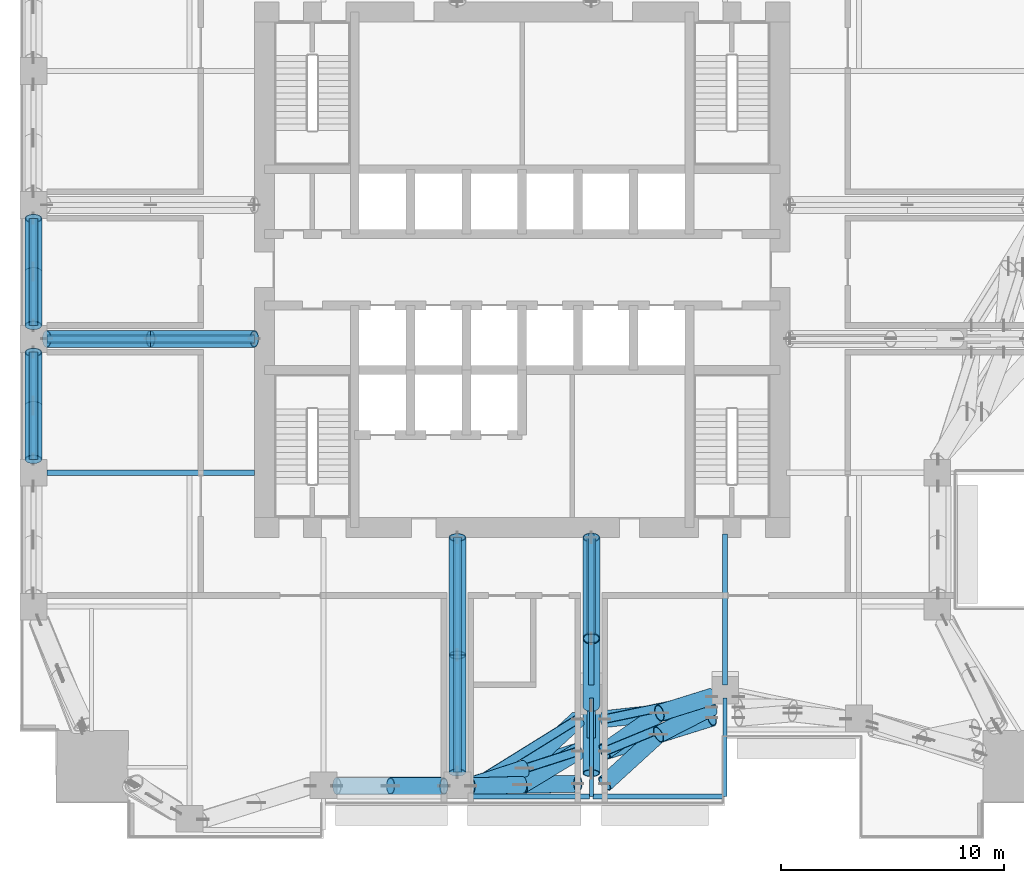
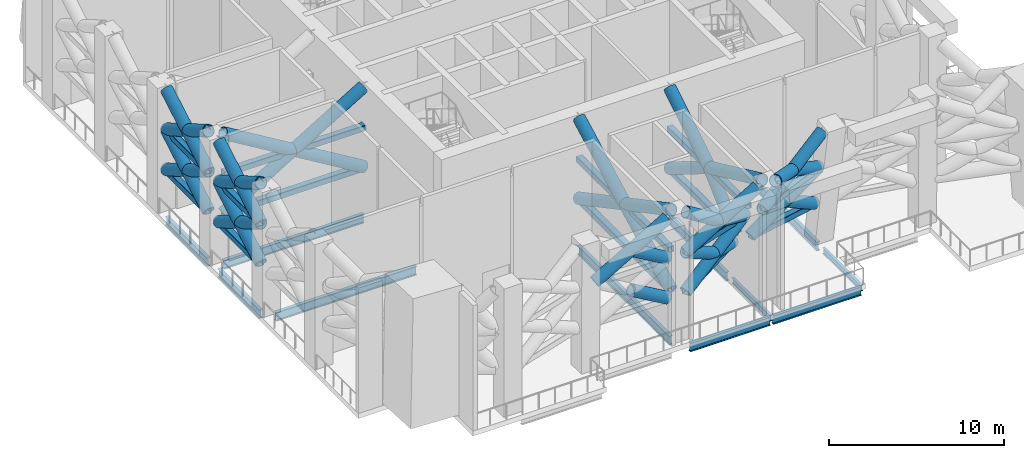
# One storey, part 2 of 18: 39 members, 25 beams.
"""IFC4 building model written with IfcOpenShell, lengths in metres."""

from ifc_helpers import new_model, si_unit, direction, frame, origin, origin_2d, place, context, subcontext, project, spatial, hollow_rectangle, hollow_circle, i_section, extrude, material, material_profile, profile_set, type_object, element, save


model = new_model("IFC4")

# Units and contexts
model_context = context("Model", 3, precision=1e-05, world=origin(), true_north=direction((0.0, 1.0)))
body_context = subcontext(model_context, "Body", "Model", "MODEL_VIEW")
ifc_project = project(units=[si_unit("LENGTHUNIT", "METRE"), si_unit("AREAUNIT", "SQUARE_METRE"), si_unit("VOLUMEUNIT", "CUBIC_METRE"), si_unit("PLANEANGLEUNIT", "RADIAN"), si_unit("MASSUNIT", "GRAM", prefix="KILO")], contexts=[model_context])

# Site, building, storey
site_placement = place(None, origin())
site = spatial("IfcSite", under=ifc_project, at=site_placement, CompositionType="ELEMENT")
building_placement = place(site_placement, origin())
building = spatial("IfcBuilding", under=site, at=building_placement, Name="Amberfall Residences", CompositionType="ELEMENT")
storey_placement = place(building_placement, frame((0.0, 0.0, 69.699951171875)))
storey = spatial("IfcBuildingStorey", under=building, at=storey_placement, Name="L19", CompositionType="ELEMENT", Elevation=69.699951171875)

# Beams
ifc_material = material(Name="Steel S355", Category="steel")
ifc_material_profile_1 = material_profile(ifc_material, hollow_rectangle(XDim=0.39990234375, YDim=0.39990234375, WallThickness=0.02001953125, InnerFilletRadius=0.02001953125, OuterFilletRadius=0.030029296875, at=origin_2d()), Name="RHS 400x400x20")
ifc_profile_set_1 = profile_set([ifc_material_profile_1], Name="Steel S355")
beam_type_1 = type_object("IfcBeamType", Name="Belt truss chord BT RHS 400x400x20", PredefinedType="BEAM", material=ifc_profile_set_1)
beam_1_placement = place(storey_placement, frame((72.199951171875, 22.382568359375, 2.900146484375), z_axis=(0.849647510788, 0.527351028643, 0.0), x_axis=(-0.527351028643, 0.849647510788, 0.0)))
element("IfcBeam", 1, at=beam_1_placement, inside=storey, type_object=beam_type_1, Name="Belt truss chord BT3 L19 S3", PredefinedType="BEAM", context=body_context, shape_type="SweptSolid", body=[
    extrude(hollow_rectangle(XDim=0.39990234375, YDim=0.39990234375, WallThickness=0.02001953125, InnerFilletRadius=0.02001953125, OuterFilletRadius=0.030029296875, at=origin_2d()), origin(), (0.0, 0.0, 1.0), 5.6494140625),
])
beam_2_placement = place(storey_placement, frame((72.199951171875, 22.36767578125, 5.699951171875), z_axis=(0.951825357857, 0.306640649848, 0.0), x_axis=(-0.306640649848, 0.951825357857, 0.0)))
element("IfcBeam", 2, at=beam_2_placement, inside=storey, type_object=beam_type_1, Name="Belt truss chord BT3 L19 S3m", PredefinedType="BEAM", context=body_context, shape_type="SweptSolid", body=[
    extrude(hollow_rectangle(XDim=0.39990234375, YDim=0.39990234375, WallThickness=0.02001953125, InnerFilletRadius=0.02001953125, OuterFilletRadius=0.030029296875, at=origin_2d()), origin(), (0.0, 0.0, 1.0), 5.04296875),
])
beam_3_placement = place(storey_placement, frame((78.199951171875, 25.36181640625, 2.900146484375), z_axis=(0.978791553845, 0.204858717465, 0.0), x_axis=(-0.204858717465, 0.978791553845, 0.0)))
element("IfcBeam", 3, at=beam_3_placement, inside=storey, type_object=beam_type_1, Name="Belt truss chord BT3 L19 S4", PredefinedType="BEAM", context=body_context, shape_type="SweptSolid", body=[
    extrude(hollow_rectangle(XDim=0.39990234375, YDim=0.39990234375, WallThickness=0.02001953125, InnerFilletRadius=0.02001953125, OuterFilletRadius=0.030029296875, at=origin_2d()), origin(), (0.0, 0.0, 1.0), 4.904052734375),
])
beam_4_placement = place(storey_placement, frame((78.199951171875, 23.9140625, 5.699951171875), z_axis=(0.924573855827, 0.381002867602, 0.0), x_axis=(-0.381002867602, 0.924573855827, 0.0)))
element("IfcBeam", 4, at=beam_4_placement, inside=storey, type_object=beam_type_1, Name="Belt truss chord BT3 L19 S4m", PredefinedType="BEAM", context=body_context, shape_type="SweptSolid", body=[
    extrude(hollow_rectangle(XDim=0.39990234375, YDim=0.39990234375, WallThickness=0.02001953125, InnerFilletRadius=0.02001953125, OuterFilletRadius=0.030029296875, at=origin_2d()), origin(), (0.0, 0.0, 1.0), 5.191650390625),
])
for number, where, z_axis, x_axis, name in (
    (5, (52.60009765625, 37.0, 2.900146484375), (0.0, 1.0, 0.0), (-1.0, 0.0, 0.0), "Belt truss chord BT3 L19 W2"),
    (6, (52.60009765625, 37.0, 5.699951171875), (0.0, 1.0, 0.0), (-1.0, 0.0, 0.0), "Belt truss chord BT3 L19 W2m"),
    (7, (52.60009765625, 43.0, 2.900146484375), (0.0, 1.0, 0.0), (-1.0, 0.0, 0.0), "Belt truss chord BT3 L19 W3"),
    (8, (52.60009765625, 43.0, 5.699951171875), (0.0, 1.0, 0.0), (-1.0, 0.0, 0.0), "Belt truss chord BT3 L19 W3m"),
):
    element("IfcBeam", number, at=place(storey_placement, frame(where, z_axis=z_axis, x_axis=x_axis)), inside=storey, type_object=beam_type_1, Name=name, PredefinedType="BEAM", context=body_context, shape_type="SweptSolid", body=[
        extrude(hollow_rectangle(XDim=0.39990234375, YDim=0.39990234375, WallThickness=0.02001953125, InnerFilletRadius=0.02001953125, OuterFilletRadius=0.030029296875, at=origin_2d()), origin(), (0.0, 0.0, 1.0), 4.800048828125),
    ])

# Members
ifc_material_profile_2 = material_profile(ifc_material, hollow_circle(Radius=0.381103515625, WallThickness=0.0400390625, at=origin_2d()), Name="CHS 762x40")
ifc_profile_set_2 = profile_set([ifc_material_profile_2], Name="Steel S355")
member_type_1 = type_object("IfcMemberType", Name="Belt truss diagonal BT CHS 762x40", PredefinedType="BRACE", material=ifc_profile_set_2)
member_1_placement = place(storey_placement, frame((68.60009765625, 22.375244140625, 4.300048828125), z_axis=(0.863782273613, 0.002636161567, -0.503858347599), x_axis=(-0.003051867781, 0.999995343041, 0.0)))
element("IfcMember", 9, at=member_1_placement, inside=storey, type_object=member_type_1, Name="Belt truss diagonal BT4 L19 S2e2", PredefinedType="BRACE", context=body_context, shape_type="SweptSolid", body=[
    extrude(hollow_circle(Radius=0.381103515625, WallThickness=0.0400390625, at=origin_2d()), origin(), (0.0, 0.0, 1.0), 2.7783203125),
])
member_2_placement = place(storey_placement, frame((66.199951171875, 22.36767578125, 5.699951171875), z_axis=(0.863774103061, -0.002723869304, 0.5038718879), x_axis=(0.003153435315, 0.99999502791, 0.0)))
element("IfcMember", 10, at=member_2_placement, inside=storey, type_object=member_type_1, Name="Belt truss diagonal BT4 L19 S2du", PredefinedType="BRACE", context=body_context, shape_type="SweptSolid", body=[
    extrude(hollow_circle(Radius=0.381103515625, WallThickness=0.0400390625, at=origin_2d()), origin(), (0.0, 0.0, 1.0), 5.55712890625),
])
member_3_placement = place(storey_placement, frame((68.60009765625, 22.360107421875, 7.10009765625), z_axis=(0.863743825401, 0.002723912369, -0.503923788268), x_axis=(-0.003153595712, 0.999995027405, 0.0)))
element("IfcMember", 11, at=member_3_placement, inside=storey, type_object=member_type_1, Name="Belt truss diagonal BT4 L19 S2e2u", PredefinedType="BRACE", context=body_context, shape_type="SweptSolid", body=[
    extrude(hollow_circle(Radius=0.381103515625, WallThickness=0.0400390625, at=origin_2d()), origin(), (0.0, 0.0, 1.0), 2.778564453125),
])
member_4_placement = place(storey_placement, frame((72.199951171875, 22.382568359375, 2.900146484375), z_axis=(0.832749048351, 0.265695273908, 0.485731452444), x_axis=(-0.303961576844, 0.952684291779, 0.0)))
element("IfcMember", 12, at=member_4_placement, inside=storey, type_object=member_type_1, Name="Belt truss diagonal BT4 L19 S3d", PredefinedType="BRACE", context=body_context, shape_type="SweptSolid", body=[
    extrude(hollow_circle(Radius=0.381103515625, WallThickness=0.0400390625, at=origin_2d()), origin(), (0.0, 0.0, 1.0), 5.76416015625),
])
member_5_placement = place(storey_placement, frame((72.199951171875, 22.36767578125, 5.699951171875), z_axis=(0.832668936922, 0.270826479839, -0.483027389806), x_axis=(-0.309302030976, 0.950963855062, 0.0)))
element("IfcMember", 13, at=member_5_placement, inside=storey, type_object=member_type_1, Name="Belt truss diagonal BT4 L19 S3e", PredefinedType="BRACE", context=body_context, shape_type="SweptSolid", body=[
    extrude(hollow_circle(Radius=0.381103515625, WallThickness=0.0400390625, at=origin_2d()), origin(), (0.0, 0.0, 1.0), 2.89013671875),
])
member_6_placement = place(storey_placement, frame((74.6064453125, 23.150390625, 4.303955078125), z_axis=(0.674570385595, 0.623241386446, -0.395632366092), x_axis=(-0.67860986636, 0.734498910332, 0.0)))
element("IfcMember", 14, at=member_6_placement, inside=storey, type_object=member_type_1, Name="Belt truss diagonal BT4 L19 S3e2", PredefinedType="BRACE", context=body_context, shape_type="SweptSolid", body=[
    extrude(hollow_circle(Radius=0.381103515625, WallThickness=0.0400390625, at=origin_2d()), origin(), (0.0, 0.0, 1.0), 3.54833984375),
])
member_7_placement = place(storey_placement, frame((72.199951171875, 22.36767578125, 5.699951171875), z_axis=(0.863641953114, 0.017702441743, 0.503794799871), x_axis=(-0.020493126876, 0.999789993824, 0.0)))
element("IfcMember", 15, at=member_7_placement, inside=storey, type_object=member_type_1, Name="Belt truss diagonal BT4 L19 S3du", PredefinedType="BRACE", context=body_context, shape_type="SweptSolid", body=[
    extrude(hollow_circle(Radius=0.381103515625, WallThickness=0.0400390625, at=origin_2d()), origin(), (0.0, 0.0, 1.0), 5.557861328125),
])
member_8_placement = place(storey_placement, frame((72.199951171875, 22.3525390625, 8.5), z_axis=(0.846381195806, 0.022896923399, -0.53208514571), x_axis=(-0.027042837847, 0.999634275583, 0.0)))
element("IfcMember", 16, at=member_8_placement, inside=storey, type_object=member_type_1, Name="Belt truss diagonal BT4 L19 S3eu", PredefinedType="BRACE", context=body_context, shape_type="SweptSolid", body=[
    extrude(hollow_circle(Radius=0.381103515625, WallThickness=0.0400390625, at=origin_2d()), origin(), (0.0, 0.0, 1.0), 2.729736328125),
])
member_9_placement = place(storey_placement, frame((74.51025390625, 22.4150390625, 7.047607421875), z_axis=(0.777208017164, 0.467940500626, -0.420689179716), x_axis=(-0.515804680673, 0.856706210668, 0.0)))
element("IfcMember", 17, at=member_9_placement, inside=storey, type_object=member_type_1, Name="Belt truss diagonal BT4 L19 S3e2u", PredefinedType="BRACE", context=body_context, shape_type="SweptSolid", body=[
    extrude(hollow_circle(Radius=0.381103515625, WallThickness=0.0400390625, at=origin_2d()), origin(), (0.0, 0.0, 1.0), 3.203369140625),
])
member_10_placement = place(storey_placement, frame((78.199951171875, 25.36181640625, 2.900146484375), z_axis=(0.859890188667, 0.094994226631, 0.501562518876), x_axis=(-0.109804504253, 0.993953203549, 0.0)))
element("IfcMember", 18, at=member_10_placement, inside=storey, type_object=member_type_1, Name="Belt truss diagonal BT4 L19 S4d", PredefinedType="BRACE", context=body_context, shape_type="SweptSolid", body=[
    extrude(hollow_circle(Radius=0.381103515625, WallThickness=0.0400390625, at=origin_2d()), origin(), (0.0, 0.0, 1.0), 5.582275390625),
])
member_11_placement = place(storey_placement, frame((78.199951171875, 23.9140625, 5.699951171875), z_axis=(0.745355793608, 0.521726826006, -0.415025131723), x_axis=(-0.573445946164, 0.819243399014, 0.0)))
element("IfcMember", 19, at=member_11_placement, inside=storey, type_object=member_type_1, Name="Belt truss diagonal BT4 L19 S4e", PredefinedType="BRACE", context=body_context, shape_type="SweptSolid", body=[
    extrude(hollow_circle(Radius=0.381103515625, WallThickness=0.0400390625, at=origin_2d()), origin(), (0.0, 0.0, 1.0), 3.294921875),
])
member_12_placement = place(storey_placement, frame((80.65576171875, 25.633056640625, 4.33251953125), z_axis=(0.824444135405, 0.257928575584, -0.503750650117), x_axis=(-0.298580588905, 0.954384425653, 0.0)))
element("IfcMember", 20, at=member_12_placement, inside=storey, type_object=member_type_1, Name="Belt truss diagonal BT4 L19 S4e2", PredefinedType="BRACE", context=body_context, shape_type="SweptSolid", body=[
    extrude(hollow_circle(Radius=0.381103515625, WallThickness=0.0400390625, at=origin_2d()), origin(), (0.0, 0.0, 1.0), 2.843505859375),
])
member_13_placement = place(storey_placement, frame((78.199951171875, 23.9140625, 5.699951171875), z_axis=(0.833792510184, 0.261193635635, 0.486382498312), x_axis=(-0.298935430736, 0.954273340428, 0.0)))
element("IfcMember", 21, at=member_13_placement, inside=storey, type_object=member_type_1, Name="Belt truss diagonal BT4 L19 S4du", PredefinedType="BRACE", context=body_context, shape_type="SweptSolid", body=[
    extrude(hollow_circle(Radius=0.381103515625, WallThickness=0.0400390625, at=origin_2d()), origin(), (0.0, 0.0, 1.0), 5.7568359375),
])
member_14_placement = place(storey_placement, frame((78.199951171875, 22.466064453125, 8.5), z_axis=(0.679346686244, 0.620380630928, -0.391938710334), x_axis=(-0.674333127578, 0.73842726998, 0.0)))
element("IfcMember", 22, at=member_14_placement, inside=storey, type_object=member_type_1, Name="Belt truss diagonal BT4 L19 S4eu", PredefinedType="BRACE", context=body_context, shape_type="SweptSolid", body=[
    extrude(hollow_circle(Radius=0.381103515625, WallThickness=0.0400390625, at=origin_2d()), origin(), (0.0, 0.0, 1.0), 3.552490234375),
])
member_15_placement = place(storey_placement, frame((80.61328125, 24.669921875, 7.107666015625), z_axis=(0.788087397625, 0.403556210363, -0.46482323391), x_axis=(-0.455787908549, 0.890088412699, 0.0)))
element("IfcMember", 23, at=member_15_placement, inside=storey, type_object=member_type_1, Name="Belt truss diagonal BT4 L19 S4e2u", PredefinedType="BRACE", context=body_context, shape_type="SweptSolid", body=[
    extrude(hollow_circle(Radius=0.381103515625, WallThickness=0.0400390625, at=origin_2d()), origin(), (0.0, 0.0, 1.0), 3.028564453125),
])
member_16_placement = place(storey_placement, frame((52.60009765625, 37.0, 2.900146484375), z_axis=(0.0, 0.863796428652, 0.503840976745), x_axis=(-1.0, 0.0, 0.0)))
element("IfcMember", 24, at=member_16_placement, inside=storey, type_object=member_type_1, Name="Belt truss diagonal BT4 L19 W2d", PredefinedType="BRACE", context=body_context, shape_type="SweptSolid", body=[
    extrude(hollow_circle(Radius=0.381103515625, WallThickness=0.0400390625, at=origin_2d()), origin(), (0.0, 0.0, 1.0), 5.556884765625),
])
member_17_placement = place(storey_placement, frame((52.60009765625, 37.0, 5.699951171875), z_axis=(0.0, 0.86378527499, -0.503860098351), x_axis=(-1.0, 0.0, 0.0)))
element("IfcMember", 25, at=member_17_placement, inside=storey, type_object=member_type_1, Name="Belt truss diagonal BT4 L19 W2e", PredefinedType="BRACE", context=body_context, shape_type="SweptSolid", body=[
    extrude(hollow_circle(Radius=0.381103515625, WallThickness=0.0400390625, at=origin_2d()), origin(), (0.0, 0.0, 1.0), 2.7783203125),
])
member_18_placement = place(storey_placement, frame((52.60009765625, 39.39990234375, 4.300048828125), z_axis=(0.0, 0.863807581045, -0.503821856343), x_axis=(-1.0, 0.0, 0.0)))
element("IfcMember", 26, at=member_18_placement, inside=storey, type_object=member_type_1, Name="Belt truss diagonal BT4 L19 W2e2", PredefinedType="BRACE", context=body_context, shape_type="SweptSolid", body=[
    extrude(hollow_circle(Radius=0.381103515625, WallThickness=0.0400390625, at=origin_2d()), origin(), (0.0, 0.0, 1.0), 2.778564453125),
])
member_19_placement = place(storey_placement, frame((52.60009765625, 37.0, 5.699951171875), z_axis=(0.0, 0.86377730745, 0.503873757141), x_axis=(-1.0, 0.0, 0.0)))
element("IfcMember", 27, at=member_19_placement, inside=storey, type_object=member_type_1, Name="Belt truss diagonal BT4 L19 W2du", PredefinedType="BRACE", context=body_context, shape_type="SweptSolid", body=[
    extrude(hollow_circle(Radius=0.381103515625, WallThickness=0.0400390625, at=origin_2d()), origin(), (0.0, 0.0, 1.0), 5.55712890625),
])
member_20_placement = place(storey_placement, frame((52.60009765625, 37.0, 8.5), z_axis=(0.0, 0.86378527499, -0.503860098351), x_axis=(-1.0, 0.0, 0.0)))
element("IfcMember", 28, at=member_20_placement, inside=storey, type_object=member_type_1, Name="Belt truss diagonal BT4 L19 W2eu", PredefinedType="BRACE", context=body_context, shape_type="SweptSolid", body=[
    extrude(hollow_circle(Radius=0.381103515625, WallThickness=0.0400390625, at=origin_2d()), origin(), (0.0, 0.0, 1.0), 2.7783203125),
])
member_21_placement = place(storey_placement, frame((52.60009765625, 39.39990234375, 7.10009765625), z_axis=(0.0, 0.863769340651, -0.503887414163), x_axis=(-1.0, 0.0, 0.0)))
element("IfcMember", 29, at=member_21_placement, inside=storey, type_object=member_type_1, Name="Belt truss diagonal BT4 L19 W2e2u", PredefinedType="BRACE", context=body_context, shape_type="SweptSolid", body=[
    extrude(hollow_circle(Radius=0.381103515625, WallThickness=0.0400390625, at=origin_2d()), origin(), (0.0, 0.0, 1.0), 2.77880859375),
])
member_22_placement = place(storey_placement, frame((52.60009765625, 43.0, 2.900146484375), z_axis=(0.0, 0.863796428652, 0.503840976745), x_axis=(-1.0, 0.0, 0.0)))
element("IfcMember", 30, at=member_22_placement, inside=storey, type_object=member_type_1, Name="Belt truss diagonal BT4 L19 W3d", PredefinedType="BRACE", context=body_context, shape_type="SweptSolid", body=[
    extrude(hollow_circle(Radius=0.381103515625, WallThickness=0.0400390625, at=origin_2d()), origin(), (0.0, 0.0, 1.0), 5.556884765625),
])
member_23_placement = place(storey_placement, frame((52.60009765625, 43.0, 5.699951171875), z_axis=(0.0, 0.86378527499, -0.503860098351), x_axis=(-1.0, 0.0, 0.0)))
element("IfcMember", 31, at=member_23_placement, inside=storey, type_object=member_type_1, Name="Belt truss diagonal BT4 L19 W3e", PredefinedType="BRACE", context=body_context, shape_type="SweptSolid", body=[
    extrude(hollow_circle(Radius=0.381103515625, WallThickness=0.0400390625, at=origin_2d()), origin(), (0.0, 0.0, 1.0), 2.7783203125),
])
member_24_placement = place(storey_placement, frame((52.60009765625, 45.39990234375, 4.300048828125), z_axis=(0.0, 0.863807581045, -0.503821856343), x_axis=(-1.0, 0.0, 0.0)))
element("IfcMember", 32, at=member_24_placement, inside=storey, type_object=member_type_1, Name="Belt truss diagonal BT4 L19 W3e2", PredefinedType="BRACE", context=body_context, shape_type="SweptSolid", body=[
    extrude(hollow_circle(Radius=0.381103515625, WallThickness=0.0400390625, at=origin_2d()), origin(), (0.0, 0.0, 1.0), 2.778564453125),
])
member_25_placement = place(storey_placement, frame((52.60009765625, 43.0, 5.699951171875), z_axis=(0.0, 0.86377730745, 0.503873757141), x_axis=(-1.0, 0.0, 0.0)))
element("IfcMember", 33, at=member_25_placement, inside=storey, type_object=member_type_1, Name="Belt truss diagonal BT4 L19 W3du", PredefinedType="BRACE", context=body_context, shape_type="SweptSolid", body=[
    extrude(hollow_circle(Radius=0.381103515625, WallThickness=0.0400390625, at=origin_2d()), origin(), (0.0, 0.0, 1.0), 5.55712890625),
])
member_26_placement = place(storey_placement, frame((52.60009765625, 43.0, 8.5), z_axis=(0.0, 0.86378527499, -0.503860098351), x_axis=(-1.0, 0.0, 0.0)))
element("IfcMember", 34, at=member_26_placement, inside=storey, type_object=member_type_1, Name="Belt truss diagonal BT4 L19 W3eu", PredefinedType="BRACE", context=body_context, shape_type="SweptSolid", body=[
    extrude(hollow_circle(Radius=0.381103515625, WallThickness=0.0400390625, at=origin_2d()), origin(), (0.0, 0.0, 1.0), 2.7783203125),
])
member_27_placement = place(storey_placement, frame((52.60009765625, 45.39990234375, 7.10009765625), z_axis=(0.0, 0.863769340651, -0.503887414163), x_axis=(-1.0, 0.0, 0.0)))
element("IfcMember", 35, at=member_27_placement, inside=storey, type_object=member_type_1, Name="Belt truss diagonal BT4 L19 W3e2u", PredefinedType="BRACE", context=body_context, shape_type="SweptSolid", body=[
    extrude(hollow_circle(Radius=0.381103515625, WallThickness=0.0400390625, at=origin_2d()), origin(), (0.0, 0.0, 1.0), 2.77880859375),
])

# Beams
ifc_material_profile_3 = material_profile(ifc_material, i_section(OverallWidth=0.177734375, OverallDepth=0.402587890625, WebThickness=0.0078125, FlangeThickness=0.010986328125, FilletRadius=0.01025390625, at=origin_2d()), Name="UB 406x178x54")
ifc_profile_set_3 = profile_set([ifc_material_profile_3], Name="Steel S355")
beam_type_2 = type_object("IfcBeamType", Name="Cantilever girder UB 406x178x54", PredefinedType="BEAM", material=ifc_profile_set_3)
for number, where, z_axis, x_axis, name in (
    (36, (77.60009765625, 26.300048828125, -0.55126953125), (0.0, -1.0, 0.0), (1.0, 0.0, 0.0), "Cantilever girder B9 L19 07"),
    (37, (83.60009765625, 26.300048828125, -0.55126953125), (0.0, -1.0, 0.0), (1.0, 0.0, 0.0), "Cantilever girder B9 L19 08"),
):
    element("IfcBeam", number, at=place(storey_placement, frame(where, z_axis=z_axis, x_axis=x_axis)), inside=storey, type_object=beam_type_2, Name=name, PredefinedType="BEAM", context=body_context, shape_type="SweptSolid", body=[
        extrude(i_section(OverallWidth=0.177734375, OverallDepth=0.402587890625, WebThickness=0.0078125, FlangeThickness=0.010986328125, FilletRadius=0.01025390625, at=origin_2d()), origin(), (0.0, 0.0, 1.0), 4.400146484375),
    ])
ifc_material_profile_4 = material_profile(ifc_material, i_section(OverallWidth=0.228271484375, OverallDepth=0.607666015625, WebThickness=0.010986328125, FlangeThickness=0.017333984375, FilletRadius=0.0126953125, at=origin_2d()), Name="UB 610x229x113")
ifc_profile_set_4 = profile_set([ifc_material_profile_4], Name="Steel S355")
beam_type_3 = type_object("IfcBeamType", Name="Edge beam UB 610x229x113", PredefinedType="SPANDREL", material=ifc_profile_set_4)
beam_5_placement = place(storey_placement, frame((72.199951171875, 21.89990234375, -0.65380859375), z_axis=(1.0, 0.0, 0.0), x_axis=(0.0, 1.0, 0.0)))
element("IfcBeam", 38, at=beam_5_placement, inside=storey, type_object=beam_type_3, Name="Edge beam B12 L19 03", PredefinedType="SPANDREL", context=body_context, shape_type="SweptSolid", body=[
    extrude(i_section(OverallWidth=0.228271484375, OverallDepth=0.607666015625, WebThickness=0.010986328125, FlangeThickness=0.017333984375, FilletRadius=0.0126953125, at=origin_2d()), origin(), (0.0, 0.0, 1.0), 5.320068359375),
])
beam_6_placement = place(storey_placement, frame((77.679931640625, 21.89990234375, -0.65380859375), z_axis=(1.0, 0.0, 0.0), x_axis=(0.0, 1.0, 0.0)))
element("IfcBeam", 39, at=beam_6_placement, inside=storey, type_object=beam_type_3, Name="Edge beam B12 L19 04", PredefinedType="SPANDREL", context=body_context, shape_type="SweptSolid", body=[
    extrude(i_section(OverallWidth=0.228271484375, OverallDepth=0.607666015625, WebThickness=0.010986328125, FlangeThickness=0.017333984375, FilletRadius=0.0126953125, at=origin_2d()), origin(), (0.0, 0.0, 1.0), 5.840087890625),
])
for number, where, z_axis, x_axis, name in (
    (40, (52.60009765625, 37.0, -0.65380859375), (0.0, 1.0, 0.0), (-1.0, 0.0, 0.0), "Edge beam B12 L19 41"),
    (41, (52.60009765625, 43.0, -0.65380859375), (0.0, 1.0, 0.0), (-1.0, 0.0, 0.0), "Edge beam B12 L19 42"),
):
    element("IfcBeam", number, at=place(storey_placement, frame(where, z_axis=z_axis, x_axis=x_axis)), inside=storey, type_object=beam_type_3, Name=name, PredefinedType="SPANDREL", context=body_context, shape_type="SweptSolid", body=[
        extrude(i_section(OverallWidth=0.228271484375, OverallDepth=0.607666015625, WebThickness=0.010986328125, FlangeThickness=0.017333984375, FilletRadius=0.0126953125, at=origin_2d()), origin(), (0.0, 0.0, 1.0), 4.800048828125),
    ])
ifc_material_profile_5 = material_profile(ifc_material, i_section(OverallWidth=0.230224609375, OverallDepth=0.6171875, WebThickness=0.01318359375, FlangeThickness=0.022216796875, FilletRadius=0.0126953125, at=origin_2d()), Name="UB 610x229x140")
ifc_profile_set_5 = profile_set([ifc_material_profile_5], Name="Steel S355")
beam_type_4 = type_object("IfcBeamType", Name="Floor girder UB 610x229x140", PredefinedType="BEAM", material=ifc_profile_set_5)
beam_7_placement = place(storey_placement, frame((71.60009765625, 23.0, -0.658447265625), z_axis=(0.0, 1.0, 0.0), x_axis=(-1.0, 0.0, 0.0)))
element("IfcBeam", 42, at=beam_7_placement, inside=storey, type_object=beam_type_4, Name="Floor girder B13 L19 11", PredefinedType="BEAM", context=body_context, shape_type="SweptSolid", body=[
    extrude(i_section(OverallWidth=0.230224609375, OverallDepth=0.6171875, WebThickness=0.01318359375, FlangeThickness=0.022216796875, FilletRadius=0.0126953125, at=origin_2d()), origin(), (0.0, 0.0, 1.0), 10.5),
])
for number, where, z_axis, x_axis, name in (
    (43, (77.60009765625, 26.89990234375, -0.658447265625), (0.0, 1.0, 0.0), (-1.0, 0.0, 0.0), "Floor girder B13 L19 12"),
    (44, (83.60009765625, 26.89990234375, -0.658447265625), (0.0, 1.0, 0.0), (-1.0, 0.0, 0.0), "Floor girder B13 L19 13"),
):
    element("IfcBeam", number, at=place(storey_placement, frame(where, z_axis=z_axis, x_axis=x_axis)), inside=storey, type_object=beam_type_4, Name=name, PredefinedType="BEAM", context=body_context, shape_type="SweptSolid", body=[
        extrude(i_section(OverallWidth=0.230224609375, OverallDepth=0.6171875, WebThickness=0.01318359375, FlangeThickness=0.022216796875, FilletRadius=0.0126953125, at=origin_2d()), origin(), (0.0, 0.0, 1.0), 6.75),
    ])
for number, where, z_axis, x_axis, name in (
    (45, (53.199951171875, 36.39990234375, -0.658447265625), (1.0, 0.0, 0.0), (0.0, 1.0, 0.0), "Floor girder B13 L19 46"),
    (46, (53.199951171875, 42.39990234375, -0.658447265625), (1.0, 0.0, 0.0), (0.0, 1.0, 0.0), "Floor girder B13 L19 47"),
):
    element("IfcBeam", number, at=place(storey_placement, frame(where, z_axis=z_axis, x_axis=x_axis)), inside=storey, type_object=beam_type_4, Name=name, PredefinedType="BEAM", context=body_context, shape_type="SweptSolid", body=[
        extrude(i_section(OverallWidth=0.230224609375, OverallDepth=0.6171875, WebThickness=0.01318359375, FlangeThickness=0.022216796875, FilletRadius=0.0126953125, at=origin_2d()), origin(), (0.0, 0.0, 1.0), 9.300048828125),
    ])
ifc_material_profile_6 = material_profile(ifc_material, hollow_rectangle(XDim=0.39990234375, YDim=0.39990234375, WallThickness=0.02001953125, InnerFilletRadius=0.02001953125, OuterFilletRadius=0.030029296875, at=origin_2d()), Name="RHS 400x400x20")
ifc_profile_set_6 = profile_set([ifc_material_profile_6], Name="Steel S355")
beam_type_5 = type_object("IfcBeamType", Name="Outrigger truss chord OT RHS 400x400x20", PredefinedType="BEAM", material=ifc_profile_set_6)
beam_8_placement = place(storey_placement, frame((71.60009765625, 22.982666015625, 2.900146484375), z_axis=(0.0, 1.0, 0.0), x_axis=(-1.0, 0.0, 0.0)))
element("IfcBeam", 47, at=beam_8_placement, inside=storey, type_object=beam_type_5, Name="Outrigger truss chord OT2 L19 1", PredefinedType="BEAM", context=body_context, shape_type="SweptSolid", body=[
    extrude(hollow_rectangle(XDim=0.39990234375, YDim=0.39990234375, WallThickness=0.02001953125, InnerFilletRadius=0.02001953125, OuterFilletRadius=0.030029296875, at=origin_2d()), origin(), (0.0, 0.0, 1.0), 10.517333984375),
])
beam_9_placement = place(storey_placement, frame((71.60009765625, 22.967529296875, 5.699951171875), z_axis=(0.0, 1.0, 0.0), x_axis=(-1.0, 0.0, 0.0)))
element("IfcBeam", 48, at=beam_9_placement, inside=storey, type_object=beam_type_5, Name="Outrigger truss chord OT2 L19 1m", PredefinedType="BEAM", context=body_context, shape_type="SweptSolid", body=[
    extrude(hollow_rectangle(XDim=0.39990234375, YDim=0.39990234375, WallThickness=0.02001953125, InnerFilletRadius=0.02001953125, OuterFilletRadius=0.030029296875, at=origin_2d()), origin(), (0.0, 0.0, 1.0), 10.532470703125),
])
beam_10_placement = place(storey_placement, frame((77.60009765625, 25.9619140625, 2.900146484375), z_axis=(0.0, 1.0, 0.0), x_axis=(-1.0, 0.0, 0.0)))
element("IfcBeam", 49, at=beam_10_placement, inside=storey, type_object=beam_type_5, Name="Outrigger truss chord OT2 L19 2", PredefinedType="BEAM", context=body_context, shape_type="SweptSolid", body=[
    extrude(hollow_rectangle(XDim=0.39990234375, YDim=0.39990234375, WallThickness=0.02001953125, InnerFilletRadius=0.02001953125, OuterFilletRadius=0.030029296875, at=origin_2d()), origin(), (0.0, 0.0, 1.0), 7.5380859375),
])
beam_11_placement = place(storey_placement, frame((77.60009765625, 24.513916015625, 5.699951171875), z_axis=(0.0, 1.0, 0.0), x_axis=(-1.0, 0.0, 0.0)))
element("IfcBeam", 50, at=beam_11_placement, inside=storey, type_object=beam_type_5, Name="Outrigger truss chord OT2 L19 2m", PredefinedType="BEAM", context=body_context, shape_type="SweptSolid", body=[
    extrude(hollow_rectangle(XDim=0.39990234375, YDim=0.39990234375, WallThickness=0.02001953125, InnerFilletRadius=0.02001953125, OuterFilletRadius=0.030029296875, at=origin_2d()), origin(), (0.0, 0.0, 1.0), 8.986083984375),
])
for number, where, z_axis, x_axis, name in (
    (51, (53.199951171875, 42.39990234375, 2.900146484375), (1.0, 0.0, 0.0), (0.0, 1.0, 0.0), "Outrigger truss chord OT2 L19 5"),
    (52, (53.199951171875, 42.39990234375, 5.699951171875), (1.0, 0.0, 0.0), (0.0, 1.0, 0.0), "Outrigger truss chord OT2 L19 5m"),
):
    element("IfcBeam", number, at=place(storey_placement, frame(where, z_axis=z_axis, x_axis=x_axis)), inside=storey, type_object=beam_type_5, Name=name, PredefinedType="BEAM", context=body_context, shape_type="SweptSolid", body=[
        extrude(hollow_rectangle(XDim=0.39990234375, YDim=0.39990234375, WallThickness=0.02001953125, InnerFilletRadius=0.02001953125, OuterFilletRadius=0.030029296875, at=origin_2d()), origin(), (0.0, 0.0, 1.0), 9.300048828125),
    ])

# Members
ifc_material_profile_7 = material_profile(ifc_material, hollow_circle(Radius=0.381103515625, WallThickness=0.0400390625, at=origin_2d()), Name="CHS 762x40")
ifc_profile_set_7 = profile_set([ifc_material_profile_7], Name="Steel S355")
member_type_2 = type_object("IfcMemberType", Name="Outrigger truss diagonal OT CHS 762x40", PredefinedType="BRACE", material=ifc_profile_set_7)
member_28_placement = place(storey_placement, frame((71.60009765625, 22.982666015625, 2.900146484375), z_axis=(0.0, 0.882393824095, 0.470511571801), x_axis=(-1.0, 0.0, 0.0)))
element("IfcMember", 53, at=member_28_placement, inside=storey, type_object=member_type_2, Name="Outrigger truss diagonal OT3 L19 1.1", PredefinedType="BRACE", context=body_context, shape_type="SweptSolid", body=[
    extrude(hollow_circle(Radius=0.381103515625, WallThickness=0.0400390625, at=origin_2d()), origin(), (0.0, 0.0, 1.0), 5.950439453125),
])
member_29_placement = place(storey_placement, frame((71.60009765625, 28.2333984375, 5.699951171875), z_axis=(0.0, 0.882982132955, -0.469406596548), x_axis=(-1.0, 0.0, 0.0)))
element("IfcMember", 54, at=member_29_placement, inside=storey, type_object=member_type_2, Name="Outrigger truss diagonal OT3 L19 1.2", PredefinedType="BRACE", context=body_context, shape_type="SweptSolid", body=[
    extrude(hollow_circle(Radius=0.381103515625, WallThickness=0.0400390625, at=origin_2d()), origin(), (0.0, 0.0, 1.0), 5.964599609375),
])
member_30_placement = place(storey_placement, frame((71.60009765625, 22.951416015625, 8.5), z_axis=(0.0, 0.883531497325, -0.468371746837), x_axis=(-1.0, 0.0, 0.0)))
element("IfcMember", 55, at=member_30_placement, inside=storey, type_object=member_type_2, Name="Outrigger truss diagonal OT3 L19 1.1u", PredefinedType="BRACE", context=body_context, shape_type="SweptSolid", body=[
    extrude(hollow_circle(Radius=0.381103515625, WallThickness=0.0400390625, at=origin_2d()), origin(), (0.0, 0.0, 1.0), 5.978271484375),
])
member_31_placement = place(storey_placement, frame((71.60009765625, 28.2333984375, 5.699951171875), z_axis=(0.0, 0.882965167363, 0.469438508459), x_axis=(-1.0, 0.0, 0.0)))
element("IfcMember", 56, at=member_31_placement, inside=storey, type_object=member_type_2, Name="Outrigger truss diagonal OT3 L19 1.2u", PredefinedType="BRACE", context=body_context, shape_type="SweptSolid", body=[
    extrude(hollow_circle(Radius=0.381103515625, WallThickness=0.0400390625, at=origin_2d()), origin(), (0.0, 0.0, 1.0), 5.964599609375),
])
member_32_placement = place(storey_placement, frame((77.60009765625, 25.9619140625, 2.900146484375), z_axis=(0.0, 0.732514352125, 0.680751587534), x_axis=(-1.0, 0.0, 0.0)))
element("IfcMember", 57, at=member_32_placement, inside=storey, type_object=member_type_2, Name="Outrigger truss diagonal OT3 L19 2.1", PredefinedType="BRACE", context=body_context, shape_type="SweptSolid", body=[
    extrude(hollow_circle(Radius=0.381103515625, WallThickness=0.0400390625, at=origin_2d()), origin(), (0.0, 0.0, 1.0), 4.11279296875),
])
member_33_placement = place(storey_placement, frame((77.60009765625, 28.974609375, 5.699951171875), z_axis=(0.0, 0.850402001028, -0.526133477977), x_axis=(-1.0, 0.0, 0.0)))
element("IfcMember", 58, at=member_33_placement, inside=storey, type_object=member_type_2, Name="Outrigger truss diagonal OT3 L19 2.2", PredefinedType="BRACE", context=body_context, shape_type="SweptSolid", body=[
    extrude(hollow_circle(Radius=0.381103515625, WallThickness=0.0400390625, at=origin_2d()), origin(), (0.0, 0.0, 1.0), 5.321533203125),
])
member_34_placement = place(storey_placement, frame((77.60009765625, 22.936767578125, 8.5), z_axis=(0.0, 0.907194524547, -0.420711414906), x_axis=(-1.0, 0.0, 0.0)))
element("IfcMember", 59, at=member_34_placement, inside=storey, type_object=member_type_2, Name="Outrigger truss diagonal OT3 L19 2.1u", PredefinedType="BRACE", context=body_context, shape_type="SweptSolid", body=[
    extrude(hollow_circle(Radius=0.381103515625, WallThickness=0.0400390625, at=origin_2d()), origin(), (0.0, 0.0, 1.0), 6.655517578125),
])
member_35_placement = place(storey_placement, frame((77.60009765625, 28.974609375, 5.699951171875), z_axis=(0.0, 0.850381473735, 0.52616665528), x_axis=(-1.0, 0.0, 0.0)))
element("IfcMember", 60, at=member_35_placement, inside=storey, type_object=member_type_2, Name="Outrigger truss diagonal OT3 L19 2.2u", PredefinedType="BRACE", context=body_context, shape_type="SweptSolid", body=[
    extrude(hollow_circle(Radius=0.381103515625, WallThickness=0.0400390625, at=origin_2d()), origin(), (0.0, 0.0, 1.0), 5.321533203125),
])
member_36_placement = place(storey_placement, frame((53.199951171875, 42.39990234375, 2.900146484375), z_axis=(0.856702148985, 0.0, 0.515811426711), x_axis=(0.0, 1.0, 0.0)))
element("IfcMember", 61, at=member_36_placement, inside=storey, type_object=member_type_2, Name="Outrigger truss diagonal OT3 L19 5.1", PredefinedType="BRACE", context=body_context, shape_type="SweptSolid", body=[
    extrude(hollow_circle(Radius=0.381103515625, WallThickness=0.0400390625, at=origin_2d()), origin(), (0.0, 0.0, 1.0), 5.427978515625),
])
member_37_placement = place(storey_placement, frame((57.85009765625, 42.39990234375, 5.699951171875), z_axis=(0.856690181296, 0.0, -0.515831303113), x_axis=(0.0, 1.0, 0.0)))
element("IfcMember", 62, at=member_37_placement, inside=storey, type_object=member_type_2, Name="Outrigger truss diagonal OT3 L19 5.2", PredefinedType="BRACE", context=body_context, shape_type="SweptSolid", body=[
    extrude(hollow_circle(Radius=0.381103515625, WallThickness=0.0400390625, at=origin_2d()), origin(), (0.0, 0.0, 1.0), 5.427734375),
])
for number, where, z_axis, x_axis, name in (
    (63, (53.199951171875, 42.39990234375, 8.5), (0.856682273034, 0.0, -0.515844436889), (0.0, 1.0, 0.0), "Outrigger truss diagonal OT3 L19 5.1u"),
    (64, (57.85009765625, 42.39990234375, 5.699951171875), (0.856670304091, 0.0, 0.515864313642), (0.0, 1.0, 0.0), "Outrigger truss diagonal OT3 L19 5.2u"),
):
    element("IfcMember", number, at=place(storey_placement, frame(where, z_axis=z_axis, x_axis=x_axis)), inside=storey, type_object=member_type_2, Name=name, PredefinedType="BRACE", context=body_context, shape_type="SweptSolid", body=[
        extrude(hollow_circle(Radius=0.381103515625, WallThickness=0.0400390625, at=origin_2d()), origin(), (0.0, 0.0, 1.0), 5.427978515625),
    ])

save(model, "model.ifc")
